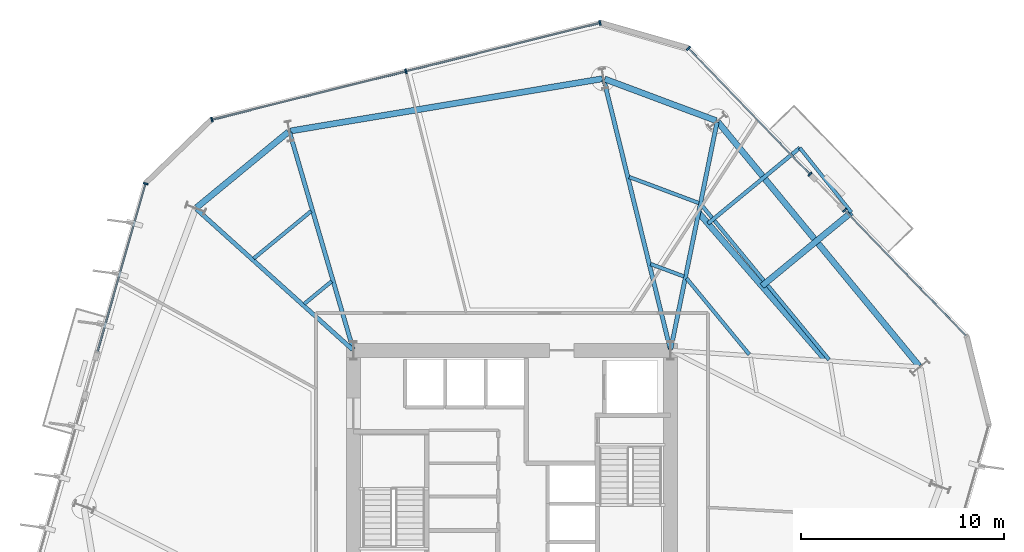
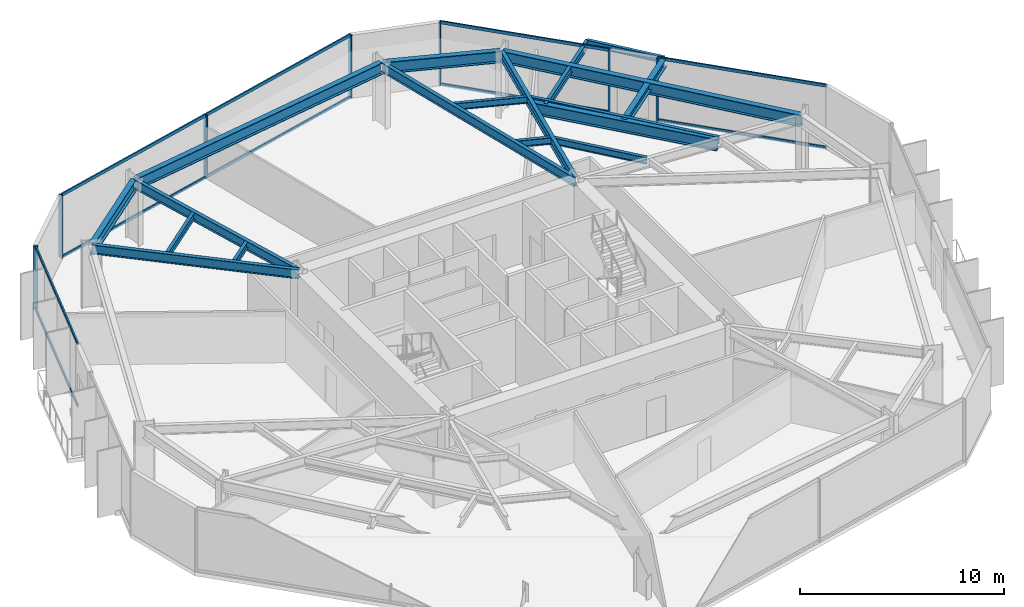
# One storey, part 4 of 10: 18 beams, 17 members, 4 elements without a shape of their own.
"""IFC4 building model written with IfcOpenShell, lengths in metres."""

from ifc_helpers import new_model, si_unit, direction, frame, origin, origin_2d, place, context, subcontext, project, spatial, rectangle, i_section, extrude, material, layer, layer_set, material_profile, profile_set, type_object, element, aggregate, save


model = new_model("IFC4")

# Units and contexts
model_context = context("Model", 3, precision=1e-05, world=origin(), true_north=direction((0.0, 1.0)))
body_context = subcontext(model_context, "Body", "Model", "MODEL_VIEW")
ifc_project = project(units=[si_unit("LENGTHUNIT", "METRE"), si_unit("AREAUNIT", "SQUARE_METRE"), si_unit("VOLUMEUNIT", "CUBIC_METRE"), si_unit("PLANEANGLEUNIT", "RADIAN"), si_unit("MASSUNIT", "GRAM", prefix="KILO")], contexts=[model_context])

# Site, building, storey
site_placement = place(None, origin())
site = spatial("IfcSite", under=ifc_project, at=site_placement, CompositionType="ELEMENT")
building_placement = place(site_placement, origin())
building = spatial("IfcBuilding", under=site, at=building_placement, Name="Kranzbogen Civic Tower", CompositionType="ELEMENT")
storey_placement = place(building_placement, frame((0.0, 0.0, 76.0)))
storey = spatial("IfcBuildingStorey", under=building, at=storey_placement, Name="L18", CompositionType="ELEMENT", Elevation=76.0)

# Beam
ifc_material_1 = material(Name="Steel S355", Category="steel")
ifc_material_profile_1 = material_profile(ifc_material_1, i_section(OverallWidth=0.18994140625, OverallDepth=0.449951171875, WebThickness=0.009521484375, FlangeThickness=0.0146484375, at=origin_2d()), Name="IPE 450")
ifc_profile_set_1 = profile_set([ifc_material_profile_1], Name="Steel S355")
beam_type_1 = type_object("IfcBeamType", Name="Braced Terrace Edge Beam IPE 450", PredefinedType="BEAM", material=ifc_profile_set_1)
beam_1_placement = place(storey_placement, frame((34.64208984375, 38.443115234375, 3.52490234375), z_axis=(0.771652106761, 0.636044830285, 0.0), x_axis=(-0.636044830285, 0.771652106761, 0.0)))
element("IfcBeam", 1, at=beam_1_placement, inside=storey, type_object=beam_type_1, Name="L19 back-spanned terrace beam L19-TB1-2", PredefinedType="BEAM", context=body_context, shape_type="SweptSolid", body=[
    extrude(i_section(OverallWidth=0.18994140625, OverallDepth=0.449951171875, WebThickness=0.009521484375, FlangeThickness=0.0146484375, at=origin_2d()), origin(), (0.0, 0.0, 1.0), 5.854736328125),
])

# Curtain wall, member
ifc_material_2 = material(Name="Pale Anodised Aluminium", Category="aluminium")
ifc_layer = layer(ifc_material_2, 0.219970703125, Name="Pale Anodised Aluminium")
ifc_layer_set = layer_set([ifc_layer], Name="Pale Anodised Aluminium")
curtain_wall_type = type_object("IfcCurtainWallType", Name="Zone 1 Stick Curtain Wall System CW-02", PredefinedType="USERDEFINED", material=ifc_layer_set)
curtain_wall_1_placement = place(storey_placement, origin())
curtain_wall_1 = element("IfcCurtainWall", 2, at=curtain_wall_1_placement, inside=storey, type_object=curtain_wall_type, Name="L18 curtain wall CW-L18-F1-S1", ObjectType="STICK CURTAIN WALL", PredefinedType="USERDEFINED")
ifc_material_profile_2 = material_profile(ifc_material_2, rectangle(XDim=0.080078125, YDim=0.239990234375, at=origin_2d()), Name="ALU-M 80x240")
ifc_profile_set_2 = profile_set([ifc_material_profile_2], Name="Pale Anodised Aluminium")
member_type_1 = type_object("IfcMemberType", Name="Curtain Wall Mullion ALU-M 80x240", PredefinedType="MULLION", material=ifc_profile_set_2)
member_1_placement = place(storey_placement, frame((41.371826171875, 39.101318359375, 0.0), z_axis=(0.0, 0.0, 1.0), x_axis=(-0.694662411477, 0.719335897951, 0.0)))
member_1 = element("IfcMember", 3, at=member_1_placement, type_object=member_type_1, Name="CW-02 mullion 2", PredefinedType="MULLION", context=body_context, shape_type="SweptSolid", body=[
    extrude(rectangle(XDim=0.080078125, YDim=0.239990234375, at=origin_2d()), origin(), (0.0, 0.0, 1.0), 3.760009765625),
])

# Curtain wall, members
curtain_wall_2_placement = place(storey_placement, origin())
curtain_wall_2 = element("IfcCurtainWall", 4, at=curtain_wall_2_placement, inside=storey, type_object=curtain_wall_type, Name="L18 curtain wall CW-L18-F1-S2", ObjectType="STICK CURTAIN WALL", PredefinedType="USERDEFINED")
member_2_placement = place(storey_placement, frame((39.6630859375, 40.87060546875, 0.0), z_axis=(0.0, 0.0, 1.0), x_axis=(-0.694660364794, 0.719337874426, 0.0)))
member_2 = element("IfcMember", 5, at=member_2_placement, type_object=member_type_1, Name="CW-02 mullion 1", PredefinedType="MULLION", context=body_context, shape_type="SweptSolid", body=[
    extrude(rectangle(XDim=0.080078125, YDim=0.239990234375, at=origin_2d()), origin(), (0.0, 0.0, 1.0), 3.760009765625),
])
member_3_placement = place(storey_placement, frame((33.680908203125, 47.0654296875, 0.0), z_axis=(0.0, 0.0, 1.0), x_axis=(-0.694660364794, 0.719337874426, 0.0)))
member_3 = element("IfcMember", 6, at=member_3_placement, type_object=member_type_1, Name="CW-02 mullion 2", PredefinedType="MULLION", context=body_context, shape_type="SweptSolid", body=[
    extrude(rectangle(XDim=0.080078125, YDim=0.239990234375, at=origin_2d()), origin(), (0.0, 0.0, 1.0), 3.760009765625),
])

curtain_wall_3_placement = place(storey_placement, origin())
curtain_wall_3 = element("IfcCurtainWall", 7, at=curtain_wall_3_placement, inside=storey, type_object=curtain_wall_type, Name="L18 curtain wall CW-L18-F2", ObjectType="STICK CURTAIN WALL", PredefinedType="USERDEFINED")
member_4_placement = place(storey_placement, frame((29.330810546875, 48.312744140625, 0.0), z_axis=(0.0, 0.0, 1.0), x_axis=(-0.970303166734, -0.241892051596, 0.0)))
member_4 = element("IfcMember", 8, at=member_4_placement, type_object=member_type_1, Name="CW-02 mullion 1", PredefinedType="MULLION", context=body_context, shape_type="SweptSolid", body=[
    extrude(rectangle(XDim=0.080078125, YDim=0.239990234375, at=origin_2d()), origin(), (0.0, 0.0, 1.0), 3.760009765625),
])
member_5_placement = place(storey_placement, frame((19.781005859375, 45.931884765625, 0.0), z_axis=(0.0, 0.0, 1.0), x_axis=(-0.970303166734, -0.241892051596, 0.0)))
member_5 = element("IfcMember", 9, at=member_5_placement, type_object=member_type_1, Name="CW-02 mullion 2", PredefinedType="MULLION", context=body_context, shape_type="SweptSolid", body=[
    extrude(rectangle(XDim=0.080078125, YDim=0.239990234375, at=origin_2d()), origin(), (0.0, 0.0, 1.0), 3.760009765625),
])
member_6_placement = place(storey_placement, frame((10.231201171875, 43.55126953125, 0.0), z_axis=(0.0, 0.0, 1.0), x_axis=(-0.970303166734, -0.241892051596, 0.0)))
member_6 = element("IfcMember", 10, at=member_6_placement, type_object=member_type_1, Name="CW-02 mullion 3", PredefinedType="MULLION", context=body_context, shape_type="SweptSolid", body=[
    extrude(rectangle(XDim=0.080078125, YDim=0.239990234375, at=origin_2d()), origin(), (0.0, 0.0, 1.0), 3.760009765625),
])

# Curtain wall, member
curtain_wall_4_placement = place(storey_placement, origin())
curtain_wall_4 = element("IfcCurtainWall", 11, at=curtain_wall_4_placement, inside=storey, type_object=curtain_wall_type, Name="L18 curtain wall CW-L18-F3-S1", ObjectType="STICK CURTAIN WALL", PredefinedType="USERDEFINED")
member_7_placement = place(storey_placement, frame((6.975830078125, 40.4072265625, 0.0), z_axis=(0.0, 0.0, 1.0), x_axis=(-0.275741488454, -0.961231830281, 0.0)))
member_7 = element("IfcMember", 12, at=member_7_placement, type_object=member_type_1, Name="CW-02 mullion 1", PredefinedType="MULLION", context=body_context, shape_type="SweptSolid", body=[
    extrude(rectangle(XDim=0.080078125, YDim=0.239990234375, at=origin_2d()), origin(), (0.0, 0.0, 1.0), 3.760009765625),
])

# Member
ifc_material_profile_3 = material_profile(ifc_material_2, rectangle(XDim=0.080078125, YDim=0.179931640625, at=origin_2d()), Name="ALU-T 80x180")
ifc_profile_set_3 = profile_set([ifc_material_profile_3], Name="Pale Anodised Aluminium")
member_type_2 = type_object("IfcMemberType", Name="Curtain Wall Transom ALU-T 80x180", PredefinedType="USERDEFINED", material=ifc_profile_set_3)
member_8_placement = place(storey_placement, frame((47.334228515625, 32.92724609375, 0.030029296875), z_axis=(-0.694668372388, 0.719330141454, 0.0), x_axis=(-0.719330141454, -0.694668372388, 0.0)))
member_8 = element("IfcMember", 13, at=member_8_placement, type_object=member_type_2, Name="CW-02 transom 1.1", ObjectType="TRANSOM", PredefinedType="USERDEFINED", context=body_context, shape_type="SweptSolid", body=[
    extrude(rectangle(XDim=0.080078125, YDim=0.179931640625, at=origin_2d()), origin(), (0.0, 0.0, 1.0), 8.55322265625),
])

member_9_placement = place(storey_placement, frame((47.334228515625, 32.92724609375, 3.72998046875), z_axis=(-0.694668372388, 0.719330141454, 0.0), x_axis=(-0.719330141454, -0.694668372388, 0.0)))
member_9 = element("IfcMember", 14, at=member_9_placement, type_object=member_type_2, Name="CW-02 transom 1.2", ObjectType="TRANSOM", PredefinedType="USERDEFINED", context=body_context, shape_type="SweptSolid", body=[
    extrude(rectangle(XDim=0.080078125, YDim=0.179931640625, at=origin_2d()), origin(), (0.0, 0.0, 1.0), 8.55322265625),
])

aggregate(curtain_wall_1, [member_1, member_8, member_9])

member_10_placement = place(storey_placement, frame((39.642333984375, 40.89208984375, 0.030029296875), z_axis=(-0.694652081281, 0.719345873674, 0.0), x_axis=(-0.719345873674, -0.694652081281, 0.0)))
member_10 = element("IfcMember", 15, at=member_10_placement, type_object=member_type_2, Name="CW-02 transom 1.1", ObjectType="TRANSOM", PredefinedType="USERDEFINED", context=body_context, shape_type="SweptSolid", body=[
    extrude(rectangle(XDim=0.080078125, YDim=0.179931640625, at=origin_2d()), origin(), (0.0, 0.0, 1.0), 8.552001953125),
])

member_11_placement = place(storey_placement, frame((39.642333984375, 40.89208984375, 3.72998046875), z_axis=(-0.694652081281, 0.719345873674, 0.0), x_axis=(-0.719345873674, -0.694652081281, 0.0)))
member_11 = element("IfcMember", 16, at=member_11_placement, type_object=member_type_2, Name="CW-02 transom 1.2", ObjectType="TRANSOM", PredefinedType="USERDEFINED", context=body_context, shape_type="SweptSolid", body=[
    extrude(rectangle(XDim=0.080078125, YDim=0.179931640625, at=origin_2d()), origin(), (0.0, 0.0, 1.0), 8.552001953125),
])

aggregate(curtain_wall_2, [member_2, member_3, member_10, member_11])

member_12_placement = place(storey_placement, frame((29.3017578125, 48.305419921875, 0.030029296875), z_axis=(-0.97030377581, -0.241889608394, 0.0), x_axis=(0.241889608394, -0.97030377581, 0.0)))
member_12 = element("IfcMember", 17, at=member_12_placement, type_object=member_type_2, Name="CW-02 transom 1.1", ObjectType="TRANSOM", PredefinedType="USERDEFINED", context=body_context, shape_type="SweptSolid", body=[
    extrude(rectangle(XDim=0.080078125, YDim=0.179931640625, at=origin_2d()), origin(), (0.0, 0.0, 1.0), 9.7822265625),
])

member_13_placement = place(storey_placement, frame((29.3017578125, 48.305419921875, 3.72998046875), z_axis=(-0.97030377581, -0.241889608394, 0.0), x_axis=(0.241889608394, -0.97030377581, 0.0)))
member_13 = element("IfcMember", 18, at=member_13_placement, type_object=member_type_2, Name="CW-02 transom 1.2", ObjectType="TRANSOM", PredefinedType="USERDEFINED", context=body_context, shape_type="SweptSolid", body=[
    extrude(rectangle(XDim=0.080078125, YDim=0.179931640625, at=origin_2d()), origin(), (0.0, 0.0, 1.0), 9.7822265625),
])

member_14_placement = place(storey_placement, frame((19.751953125, 45.9248046875, 0.030029296875), z_axis=(-0.97030377581, -0.241889608394, 0.0), x_axis=(0.241889608394, -0.97030377581, 0.0)))
member_14 = element("IfcMember", 19, at=member_14_placement, type_object=member_type_2, Name="CW-02 transom 2.1", ObjectType="TRANSOM", PredefinedType="USERDEFINED", context=body_context, shape_type="SweptSolid", body=[
    extrude(rectangle(XDim=0.080078125, YDim=0.179931640625, at=origin_2d()), origin(), (0.0, 0.0, 1.0), 9.7822265625),
])

member_15_placement = place(storey_placement, frame((19.751953125, 45.9248046875, 3.72998046875), z_axis=(-0.97030377581, -0.241889608394, 0.0), x_axis=(0.241889608394, -0.97030377581, 0.0)))
member_15 = element("IfcMember", 20, at=member_15_placement, type_object=member_type_2, Name="CW-02 transom 2.2", ObjectType="TRANSOM", PredefinedType="USERDEFINED", context=body_context, shape_type="SweptSolid", body=[
    extrude(rectangle(XDim=0.080078125, YDim=0.179931640625, at=origin_2d()), origin(), (0.0, 0.0, 1.0), 9.7822265625),
])

aggregate(curtain_wall_3, [member_4, member_5, member_6, member_12, member_13, member_14, member_15])

member_16_placement = place(storey_placement, frame((6.967529296875, 40.37841796875, 0.030029296875), z_axis=(-0.275739089442, -0.961232518465, 0.0), x_axis=(0.961232518465, -0.275739089442, 0.0)))
member_16 = element("IfcMember", 21, at=member_16_placement, type_object=member_type_2, Name="CW-02 transom 1.1", ObjectType="TRANSOM", PredefinedType="USERDEFINED", context=body_context, shape_type="SweptSolid", body=[
    extrude(rectangle(XDim=0.080078125, YDim=0.179931640625, at=origin_2d()), origin(), (0.0, 0.0, 1.0), 8.55126953125),
])

member_17_placement = place(storey_placement, frame((6.967529296875, 40.37841796875, 3.72998046875), z_axis=(-0.275739089442, -0.961232518465, 0.0), x_axis=(0.961232518465, -0.275739089442, 0.0)))
member_17 = element("IfcMember", 22, at=member_17_placement, type_object=member_type_2, Name="CW-02 transom 1.2", ObjectType="TRANSOM", PredefinedType="USERDEFINED", context=body_context, shape_type="SweptSolid", body=[
    extrude(rectangle(XDim=0.080078125, YDim=0.179931640625, at=origin_2d()), origin(), (0.0, 0.0, 1.0), 8.55126953125),
])

aggregate(curtain_wall_4, [member_7, member_16, member_17])

# Beams
ifc_material_profile_4 = material_profile(ifc_material_1, i_section(OverallWidth=0.300048828125, OverallDepth=0.5, WebThickness=0.014404296875, FlangeThickness=0.028076171875, at=origin_2d()), Name="HEB 500")
ifc_profile_set_4 = profile_set([ifc_material_profile_4], Name="Steel S355")
beam_type_2 = type_object("IfcBeamType", Name="Perimeter Tube Spandrel Beam HEB 500", PredefinedType="SPANDREL", material=ifc_profile_set_4)
beam_2_placement = place(storey_placement, frame((37.300048828125, 35.3701171875, 3.5), z_axis=(0.771624603643, 0.636078195706, 0.0), x_axis=(-0.636078195706, 0.771624603643, 0.0)))
element("IfcBeam", 23, at=beam_2_placement, inside=storey, type_object=beam_type_2, Name="L19 back-spanned terrace beam L19-TB1-1", PredefinedType="SPANDREL", context=body_context, shape_type="SweptSolid", body=[
    extrude(i_section(OverallWidth=0.300048828125, OverallDepth=0.5, WebThickness=0.014404296875, FlangeThickness=0.028076171875, at=origin_2d()), origin(), (0.0, 0.0, 1.0), 5.697021484375),
])
ifc_material_profile_5 = material_profile(ifc_material_1, i_section(OverallWidth=0.300048828125, OverallDepth=0.699951171875, WebThickness=0.01708984375, FlangeThickness=0.031982421875, at=origin_2d()), Name="HEB 700")
ifc_profile_set_5 = profile_set([ifc_material_profile_5], Name="Steel S355")
beam_type_3 = type_object("IfcBeamType", Name="Perimeter Tube Spandrel Beam HEB 700", PredefinedType="SPANDREL", material=ifc_profile_set_5)
beam_3_placement = place(storey_placement, frame((45.033935546875, 31.431884765625, 3.409912109375), z_axis=(-0.636074572579, 0.771627590304, 0.0), x_axis=(-0.771627590304, -0.636074572579, 0.0)))
element("IfcBeam", 24, at=beam_3_placement, inside=storey, type_object=beam_type_3, Name="L18 perimeter spandrel beam 08", PredefinedType="SPANDREL", context=body_context, shape_type="SweptSolid", body=[
    extrude(i_section(OverallWidth=0.300048828125, OverallDepth=0.699951171875, WebThickness=0.01708984375, FlangeThickness=0.031982421875, at=origin_2d()), origin(), (0.0, 0.0, 1.0), 15.5595703125),
])
beam_4_placement = place(storey_placement, frame((35.04296875, 43.5048828125, 3.409912109375), z_axis=(-0.936647646965, 0.350273015568, 0.0), x_axis=(-0.350273015568, -0.936647646965, 0.0)))
element("IfcBeam", 25, at=beam_4_placement, inside=storey, type_object=beam_type_3, Name="L18 perimeter spandrel beam 09", PredefinedType="SPANDREL", context=body_context, shape_type="SweptSolid", body=[
    extrude(i_section(OverallWidth=0.300048828125, OverallDepth=0.699951171875, WebThickness=0.01708984375, FlangeThickness=0.031982421875, at=origin_2d()), origin(), (0.0, 0.0, 1.0), 5.852783203125),
])
beam_5_placement = place(storey_placement, frame((29.446044921875, 45.56591796875, 3.409912109375), z_axis=(-0.986285563243, -0.165047834697, 0.0), x_axis=(0.165047834697, -0.986285563243, 0.0)))
element("IfcBeam", 26, at=beam_5_placement, inside=storey, type_object=beam_type_3, Name="L18 perimeter spandrel beam 10", PredefinedType="SPANDREL", context=body_context, shape_type="SweptSolid", body=[
    extrude(i_section(OverallWidth=0.300048828125, OverallDepth=0.699951171875, WebThickness=0.01708984375, FlangeThickness=0.031982421875, at=origin_2d()), origin(), (0.0, 0.0, 1.0), 15.558349609375),
])
beam_6_placement = place(storey_placement, frame((13.99609375, 42.949951171875, 3.409912109375), z_axis=(-0.77168336865, -0.636006901337, 0.0), x_axis=(0.636006901337, -0.77168336865, 0.0)))
element("IfcBeam", 27, at=beam_6_placement, inside=storey, type_object=beam_type_3, Name="L18 perimeter spandrel beam 11", PredefinedType="SPANDREL", context=body_context, shape_type="SweptSolid", body=[
    extrude(i_section(OverallWidth=0.300048828125, OverallDepth=0.699951171875, WebThickness=0.01708984375, FlangeThickness=0.031982421875, at=origin_2d()), origin(), (0.0, 0.0, 1.0), 5.853515625),
])
beam_7_placement = place(storey_placement, frame((40.48193359375, 31.68994140625, 3.39990234375), z_axis=(-0.654072384898, 0.75643196344, 0.0), x_axis=(-0.75643196344, -0.654072384898, 0.0)))
element("IfcBeam", 28, at=beam_7_placement, inside=storey, type_object=beam_type_3, Name="L19 balcony back-span header girder L19-TB1", PredefinedType="SPANDREL", context=body_context, shape_type="SweptSolid", body=[
    extrude(i_section(OverallWidth=0.300048828125, OverallDepth=0.699951171875, WebThickness=0.01708984375, FlangeThickness=0.031982421875, at=origin_2d()), origin(), (0.0, 0.0, 1.0), 9.633544921875),
])
ifc_material_profile_6 = material_profile(ifc_material_1, i_section(OverallWidth=0.2099609375, OverallDepth=0.550048828125, WebThickness=0.010986328125, FlangeThickness=0.01708984375, at=origin_2d()), Name="IPE 550")
ifc_profile_set_6 = profile_set([ifc_material_profile_6], Name="Steel S355")
beam_type_4 = type_object("IfcBeamType", Name="Radial Tower Floor Girder IPE 550", PredefinedType="BEAM", material=ifc_profile_set_6)
beam_8_placement = place(storey_placement, frame((35.0869140625, 43.425048828125, 3.485107421875), z_axis=(-0.199633433694, -0.979870650725, 0.0), x_axis=(0.979870650725, -0.199633433694, 0.0)))
element("IfcBeam", 29, at=beam_8_placement, inside=storey, type_object=beam_type_4, Name="L18 radial floor girder 09", PredefinedType="BEAM", context=body_context, shape_type="SweptSolid", body=[
    extrude(i_section(OverallWidth=0.2099609375, OverallDepth=0.550048828125, WebThickness=0.010986328125, FlangeThickness=0.01708984375, at=origin_2d()), origin(), (0.0, 0.0, 1.0), 11.3955078125),
])
beam_9_placement = place(storey_placement, frame((29.51904296875, 45.51806640625, 3.485107421875), z_axis=(0.239215348776, -0.970966537482, 0.0), x_axis=(0.970966537482, 0.239215348776, 0.0)))
element("IfcBeam", 30, at=beam_9_placement, inside=storey, type_object=beam_type_4, Name="L18 radial floor girder 10", PredefinedType="BEAM", context=body_context, shape_type="SweptSolid", body=[
    extrude(i_section(OverallWidth=0.2099609375, OverallDepth=0.550048828125, WebThickness=0.010986328125, FlangeThickness=0.01708984375, at=origin_2d()), origin(), (0.0, 0.0, 1.0), 13.656494140625),
])
beam_10_placement = place(storey_placement, frame((14.05908203125, 42.929931640625, 3.485107421875), z_axis=(0.280944131918, -0.959724124288, 0.0), x_axis=(0.959724124288, 0.280944131918, 0.0)))
element("IfcBeam", 31, at=beam_10_placement, inside=storey, type_object=beam_type_4, Name="L18 radial floor girder 11", PredefinedType="BEAM", context=body_context, shape_type="SweptSolid", body=[
    extrude(i_section(OverallWidth=0.2099609375, OverallDepth=0.550048828125, WebThickness=0.010986328125, FlangeThickness=0.01708984375, at=origin_2d()), origin(), (0.0, 0.0, 1.0), 11.11962890625),
])
beam_11_placement = place(storey_placement, frame((9.47802734375, 39.14892578125, 3.485107421875), z_axis=(0.743311776894, -0.668945141496, 0.0), x_axis=(0.668945141496, 0.743311776894, 0.0)))
element("IfcBeam", 32, at=beam_11_placement, inside=storey, type_object=beam_type_4, Name="L18 radial floor girder 12", PredefinedType="BEAM", context=body_context, shape_type="SweptSolid", body=[
    extrude(i_section(OverallWidth=0.2099609375, OverallDepth=0.550048828125, WebThickness=0.010986328125, FlangeThickness=0.01708984375, at=origin_2d()), origin(), (0.0, 0.0, 1.0), 10.328125),
])
ifc_material_profile_7 = material_profile(ifc_material_1, i_section(OverallWidth=0.169921875, OverallDepth=0.360107421875, WebThickness=0.008056640625, FlangeThickness=0.0126953125, at=origin_2d()), Name="IPE 360")
ifc_profile_set_7 = profile_set([ifc_material_profile_7], Name="Steel S355")
beam_type_5 = type_object("IfcBeamType", Name="Secondary Composite Floor Joist IPE 360", PredefinedType="JOIST", material=ifc_profile_set_7)
beam_12_placement = place(storey_placement, frame((41.696044921875, 38.993896484375, 3.570068359375), z_axis=(-0.624343165542, 0.781150185074, 0.0), x_axis=(-0.781150185074, -0.624343165542, 0.0)))
element("IfcBeam", 33, at=beam_12_placement, inside=storey, type_object=beam_type_5, Name="L19 terrace outer edge trimmer L19-TB1", PredefinedType="JOIST", context=body_context, shape_type="SweptSolid", body=[
    extrude(i_section(OverallWidth=0.169921875, OverallDepth=0.360107421875, WebThickness=0.008056640625, FlangeThickness=0.0126953125, at=origin_2d()), origin(), (0.0, 0.0, 1.0), 4.06201171875),
])
ifc_material_profile_8 = material_profile(ifc_material_1, i_section(OverallWidth=0.179931640625, OverallDepth=0.39990234375, WebThickness=0.008544921875, FlangeThickness=0.013427734375, at=origin_2d()), Name="IPE 400")
ifc_profile_set_8 = profile_set([ifc_material_profile_8], Name="Steel S355")
beam_type_6 = type_object("IfcBeamType", Name="Secondary Composite Floor Joist IPE 400", PredefinedType="JOIST", material=ifc_profile_set_8)
beam_13_placement = place(storey_placement, frame((40.60302734375, 31.740966796875, 3.56005859375), z_axis=(-0.636094561772, 0.771611112209, 0.0), x_axis=(-0.771611112209, -0.636094561772, 0.0)))
element("IfcBeam", 34, at=beam_13_placement, inside=storey, type_object=beam_type_6, Name="L18 secondary floor joist 1.08", PredefinedType="JOIST", context=body_context, shape_type="SweptSolid", body=[
    extrude(i_section(OverallWidth=0.179931640625, OverallDepth=0.39990234375, WebThickness=0.008544921875, FlangeThickness=0.013427734375, at=origin_2d()), origin(), (0.0, 0.0, 1.0), 9.874267578125),
])
beam_14_placement = place(storey_placement, frame((36.676025390625, 32.0009765625, 3.56005859375), z_axis=(-0.636012010413, 0.771679157818, 0.0), x_axis=(-0.771679157818, -0.636012010413, 0.0)))
element("IfcBeam", 35, at=beam_14_placement, inside=storey, type_object=beam_type_6, Name="L18 secondary floor joist 2.08", PredefinedType="JOIST", context=body_context, shape_type="SweptSolid", body=[
    extrude(i_section(OverallWidth=0.179931640625, OverallDepth=0.39990234375, WebThickness=0.008544921875, FlangeThickness=0.013427734375, at=origin_2d()), origin(), (0.0, 0.0, 1.0), 4.85693359375),
])
beam_15_placement = place(storey_placement, frame((34.196044921875, 39.449951171875, 3.56005859375), z_axis=(-0.936622008794, 0.350341565678, 0.0), x_axis=(-0.350341565678, -0.936622008794, 0.0)))
element("IfcBeam", 36, at=beam_15_placement, inside=storey, type_object=beam_type_6, Name="L18 secondary floor joist 1.09", PredefinedType="JOIST", context=body_context, shape_type="SweptSolid", body=[
    extrude(i_section(OverallWidth=0.179931640625, OverallDepth=0.39990234375, WebThickness=0.008544921875, FlangeThickness=0.013427734375, at=origin_2d()), origin(), (0.0, 0.0, 1.0), 3.662109375),
])
beam_16_placement = place(storey_placement, frame((33.4609375, 35.839111328125, 3.56005859375), z_axis=(-0.936735458815, 0.350038112495, 0.0), x_axis=(-0.350038112495, -0.936735458815, 0.0)))
element("IfcBeam", 37, at=beam_16_placement, inside=storey, type_object=beam_type_6, Name="L18 secondary floor joist 2.09", PredefinedType="JOIST", context=body_context, shape_type="SweptSolid", body=[
    extrude(i_section(OverallWidth=0.179931640625, OverallDepth=0.39990234375, WebThickness=0.008544921875, FlangeThickness=0.013427734375, at=origin_2d()), origin(), (0.0, 0.0, 1.0), 1.750732421875),
])
beam_17_placement = place(storey_placement, frame((15.116943359375, 39.052978515625, 3.56005859375), z_axis=(-0.771712720426, -0.635971286406, 0.0), x_axis=(0.635971286406, -0.771712720426, 0.0)))
element("IfcBeam", 38, at=beam_17_placement, inside=storey, type_object=beam_type_6, Name="L18 secondary floor joist 1.11", PredefinedType="JOIST", context=body_context, shape_type="SweptSolid", body=[
    extrude(i_section(OverallWidth=0.179931640625, OverallDepth=0.39990234375, WebThickness=0.008544921875, FlangeThickness=0.013427734375, at=origin_2d()), origin(), (0.0, 0.0, 1.0), 3.661865234375),
])
beam_18_placement = place(storey_placement, frame((16.1279296875, 35.60107421875, 3.56005859375), z_axis=(-0.771773324836, -0.635897739477, 0.0), x_axis=(0.635897739477, -0.771773324836, 0.0)))
element("IfcBeam", 39, at=beam_18_placement, inside=storey, type_object=beam_type_6, Name="L18 secondary floor joist 2.11", PredefinedType="JOIST", context=body_context, shape_type="SweptSolid", body=[
    extrude(i_section(OverallWidth=0.179931640625, OverallDepth=0.39990234375, WebThickness=0.008544921875, FlangeThickness=0.013427734375, at=origin_2d()), origin(), (0.0, 0.0, 1.0), 1.751953125),
])

save(model, "model.ifc")
